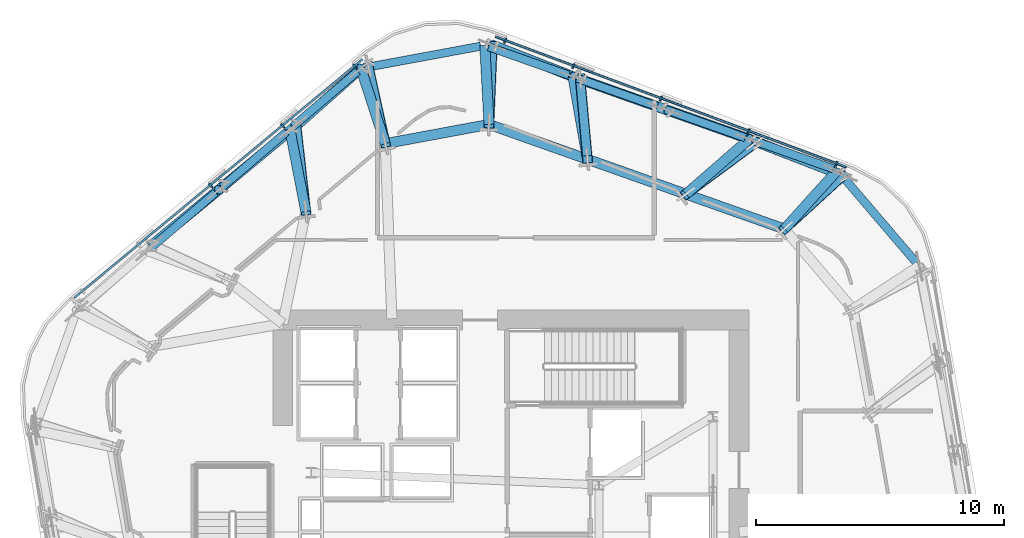
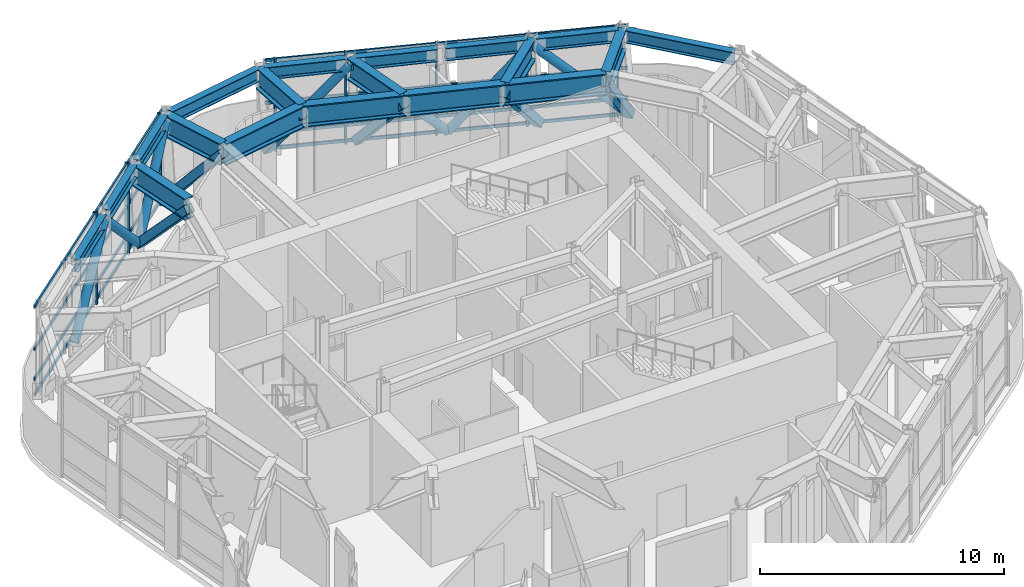
# One storey, part 6 of 16: 29 members, 19 beams, 2 elements without a shape of their own.
"""IFC4 building model written with IfcOpenShell, lengths in metres."""

from ifc_helpers import new_model, si_unit, direction, frame, origin, origin_2d, place, context, subcontext, project, spatial, rectangle, hollow_rectangle, hollow_circle, i_section, extrude, material, layer, layer_set, material_profile, profile_set, type_object, element, aggregate, save


model = new_model("IFC4")

# Units and contexts
model_context = context("Model", 3, precision=1e-05, world=origin(), true_north=direction((0.0, 1.0)))
body_context = subcontext(model_context, "Body", "Model", "MODEL_VIEW")
ifc_project = project(units=[si_unit("LENGTHUNIT", "METRE"), si_unit("AREAUNIT", "SQUARE_METRE"), si_unit("VOLUMEUNIT", "CUBIC_METRE"), si_unit("PLANEANGLEUNIT", "RADIAN"), si_unit("MASSUNIT", "GRAM", prefix="KILO")], contexts=[model_context])

# Site, building, storey
site_placement = place(None, origin())
site = spatial("IfcSite", under=ifc_project, at=site_placement, CompositionType="ELEMENT")
building_placement = place(site_placement, origin())
building = spatial("IfcBuilding", under=site, at=building_placement, Name="Valkerne Bourse Tower", CompositionType="ELEMENT")
storey_placement = place(building_placement, frame((0.0, 0.0, 193.199951171875)))
storey = spatial("IfcBuildingStorey", under=building, at=storey_placement, Name="L49", CompositionType="ELEMENT", Elevation=193.199951171875)

# Beams
ifc_material_1 = material(Name="Steel ASTM A992", Category="steel")
ifc_material_profile_1 = material_profile(ifc_material_1, i_section(OverallWidth=0.32763671875, OverallDepth=0.62744140625, WebThickness=0.0166015625, FlangeThickness=0.027587890625, FilletRadius=0.020263671875, at=origin_2d()), Name="W24X146")
ifc_profile_set_1 = profile_set([ifc_material_profile_1], Name="Steel ASTM A992")
beam_type_1 = type_object("IfcBeamType", Name="BM-W24X146", PredefinedType="SPANDREL", material=ifc_profile_set_1)
for number, where, z_axis, x_axis, name in (
    (1, (59.805419921875, 41.6416015625, 4.286376953125), (-0.942619294148, 0.333869534849, 0.0), (-0.333869534849, -0.942619294148, 0.0), "L49 Hexagonal Spandrel Ring Beam 00"),
    (2, (56.250732421875, 42.900390625, 4.286376953125), (-0.942619294148, 0.333869534849, 0.0), (-0.333869534849, -0.942619294148, 0.0), "L49 Hexagonal Spandrel Ring Beam 01"),
    (3, (52.696044921875, 44.1591796875, 4.286376953125), (-0.942619294148, 0.333869534849, 0.0), (-0.333869534849, -0.942619294148, 0.0), "L49 Hexagonal Spandrel Ring Beam 02"),
):
    element("IfcBeam", number, at=place(storey_placement, frame(where, z_axis=z_axis, x_axis=x_axis)), inside=storey, type_object=beam_type_1, Name=name, PredefinedType="SPANDREL", context=body_context, shape_type="SweptSolid", body=[
        extrude(i_section(OverallWidth=0.32763671875, OverallDepth=0.62744140625, WebThickness=0.0166015625, FlangeThickness=0.027587890625, FilletRadius=0.020263671875, at=origin_2d()), origin(), (0.0, 0.0, 1.0), 3.430908203125),
    ])
beam_1_placement = place(storey_placement, frame((49.141357421875, 45.41796875, 4.286376953125), z_axis=(-0.942627225161, 0.333847142245, 0.0), x_axis=(-0.333847142245, -0.942627225161, 0.0)))
element("IfcBeam", 4, at=beam_1_placement, inside=storey, type_object=beam_type_1, Name="L49 Hexagonal Spandrel Ring Beam 03", PredefinedType="SPANDREL", context=body_context, shape_type="SweptSolid", body=[
    extrude(i_section(OverallWidth=0.32763671875, OverallDepth=0.62744140625, WebThickness=0.0166015625, FlangeThickness=0.027587890625, FilletRadius=0.020263671875, at=origin_2d()), origin(), (0.0, 0.0, 1.0), 3.43115234375),
])
beam_2_placement = place(storey_placement, frame((45.57958984375, 46.589111328125, 4.286376953125), z_axis=(-0.98325432636, -0.182238661358, 0.0), x_axis=(0.182238661358, -0.98325432636, 0.0)))
element("IfcBeam", 5, at=beam_2_placement, inside=storey, type_object=beam_type_1, Name="L49 Hexagonal Spandrel Ring Beam 04", PredefinedType="SPANDREL", context=body_context, shape_type="SweptSolid", body=[
    extrude(i_section(OverallWidth=0.32763671875, OverallDepth=0.62744140625, WebThickness=0.0166015625, FlangeThickness=0.027587890625, FilletRadius=0.020263671875, at=origin_2d()), origin(), (0.0, 0.0, 1.0), 4.73974609375),
])
beam_3_placement = place(storey_placement, frame((40.62255859375, 45.583984375, 4.286376953125), z_axis=(-0.760395641243, -0.649460136405, 0.0), x_axis=(0.649460136405, -0.760395641243, 0.0)))
element("IfcBeam", 6, at=beam_3_placement, inside=storey, type_object=beam_type_1, Name="L49 Hexagonal Spandrel Ring Beam 05", PredefinedType="SPANDREL", context=body_context, shape_type="SweptSolid", body=[
    extrude(i_section(OverallWidth=0.32763671875, OverallDepth=0.62744140625, WebThickness=0.0166015625, FlangeThickness=0.027587890625, FilletRadius=0.020263671875, at=origin_2d()), origin(), (0.0, 0.0, 1.0), 3.430908203125),
])
beam_4_placement = place(storey_placement, frame((37.755126953125, 43.135009765625, 4.286376953125), z_axis=(-0.760360500555, -0.649501277285, 0.0), x_axis=(0.649501277285, -0.760360500555, 0.0)))
element("IfcBeam", 7, at=beam_4_placement, inside=storey, type_object=beam_type_1, Name="L49 Hexagonal Spandrel Ring Beam 06", PredefinedType="SPANDREL", context=body_context, shape_type="SweptSolid", body=[
    extrude(i_section(OverallWidth=0.32763671875, OverallDepth=0.62744140625, WebThickness=0.0166015625, FlangeThickness=0.027587890625, FilletRadius=0.020263671875, at=origin_2d()), origin(), (0.0, 0.0, 1.0), 3.43115234375),
])
beam_5_placement = place(storey_placement, frame((34.8876953125, 40.685791015625, 4.286376953125), z_axis=(-0.760395641243, -0.649460136405, 0.0), x_axis=(0.649460136405, -0.760395641243, 0.0)))
element("IfcBeam", 8, at=beam_5_placement, inside=storey, type_object=beam_type_1, Name="L49 Hexagonal Spandrel Ring Beam 07", PredefinedType="SPANDREL", context=body_context, shape_type="SweptSolid", body=[
    extrude(i_section(OverallWidth=0.32763671875, OverallDepth=0.62744140625, WebThickness=0.0166015625, FlangeThickness=0.027587890625, FilletRadius=0.020263671875, at=origin_2d()), origin(), (0.0, 0.0, 1.0), 3.430908203125),
])
beam_6_placement = place(storey_placement, frame((63.154541015625, 37.851318359375, 4.286376953125), z_axis=(-0.649428772545, 0.760422428254, 0.0), x_axis=(-0.760422428254, -0.649428772545, 0.0)))
element("IfcBeam", 9, at=beam_6_placement, inside=storey, type_object=beam_type_1, Name="L49 Hexagonal Spandrel Ring Beam 29", PredefinedType="SPANDREL", context=body_context, shape_type="SweptSolid", body=[
    extrude(i_section(OverallWidth=0.32763671875, OverallDepth=0.62744140625, WebThickness=0.0166015625, FlangeThickness=0.027587890625, FilletRadius=0.020263671875, at=origin_2d()), origin(), (0.0, 0.0, 1.0), 4.740234375),
])
ifc_material_2 = material(Name="Steel ASTM A913 Grade 65", Category="steel")
ifc_material_profile_2 = material_profile(ifc_material_2, i_section(OverallWidth=0.408935546875, OverallDepth=1.06689453125, WebThickness=0.031005859375, FlangeThickness=0.055908203125, FilletRadius=0.030517578125, at=origin_2d()), Name="W40X397")
ifc_profile_set_2 = profile_set([ifc_material_profile_2], Name="Steel ASTM A913 Grade 65")
beam_type_2 = type_object("IfcBeamType", Name="BM-W40X397", PredefinedType="BEAM", material=ifc_profile_set_2)
beam_7_placement = place(storey_placement, frame((59.9658203125, 41.5849609375, 4.066650390625), z_axis=(-0.670084930182, -0.742284437627, 0.0), x_axis=(0.742284437627, -0.670084930182, 0.0)))
element("IfcBeam", 10, at=beam_7_placement, inside=storey, type_object=beam_type_2, Name="L49 Radial Setback Transfer Girder Out 00", PredefinedType="BEAM", context=body_context, shape_type="SweptSolid", body=[
    extrude(i_section(OverallWidth=0.408935546875, OverallDepth=1.06689453125, WebThickness=0.031005859375, FlangeThickness=0.055908203125, FilletRadius=0.030517578125, at=origin_2d()), origin(), (0.0, 0.0, 1.0), 3.188720703125),
])
beam_8_placement = place(storey_placement, frame((57.8291015625, 39.218017578125, 4.066650390625), z_axis=(-0.942642044538, 0.333805296347, 0.0), x_axis=(-0.333805296347, -0.942642044538, 0.0)))
element("IfcBeam", 11, at=beam_8_placement, inside=storey, type_object=beam_type_2, Name="L49 Setback Ring Transfer Girder 00", PredefinedType="BEAM", context=body_context, shape_type="SweptSolid", body=[
    extrude(i_section(OverallWidth=0.408935546875, OverallDepth=1.06689453125, WebThickness=0.031005859375, FlangeThickness=0.055908203125, FilletRadius=0.030517578125, at=origin_2d()), origin(), (0.0, 0.0, 1.0), 4.212158203125),
])
beam_9_placement = place(storey_placement, frame((56.410888671875, 42.84375, 4.066650390625), z_axis=(-0.754549579472, -0.656243043482, 0.0), x_axis=(0.656243043482, -0.754549579472, 0.0)))
element("IfcBeam", 12, at=beam_9_placement, inside=storey, type_object=beam_type_2, Name="L49 Radial Setback Transfer Girder Out 01", PredefinedType="BEAM", context=body_context, shape_type="SweptSolid", body=[
    extrude(i_section(OverallWidth=0.408935546875, OverallDepth=1.06689453125, WebThickness=0.031005859375, FlangeThickness=0.055908203125, FilletRadius=0.030517578125, at=origin_2d()), origin(), (0.0, 0.0, 1.0), 3.382568359375),
])
beam_10_placement = place(storey_placement, frame((53.858642578125, 40.6240234375, 4.066650390625), z_axis=(-0.942642044538, 0.333805296347, 0.0), x_axis=(-0.333805296347, -0.942642044538, 0.0)))
element("IfcBeam", 13, at=beam_10_placement, inside=storey, type_object=beam_type_2, Name="L49 Setback Ring Transfer Girder 01", PredefinedType="BEAM", context=body_context, shape_type="SweptSolid", body=[
    extrude(i_section(OverallWidth=0.408935546875, OverallDepth=1.06689453125, WebThickness=0.031005859375, FlangeThickness=0.055908203125, FilletRadius=0.030517578125, at=origin_2d()), origin(), (0.0, 0.0, 1.0), 4.212158203125),
])
beam_11_placement = place(storey_placement, frame((49.301513671875, 45.361328125, 4.066650390625), z_axis=(0.173439458616, -0.984844533008, 0.0), x_axis=(0.984844533008, 0.173439458616, 0.0)))
element("IfcBeam", 14, at=beam_11_placement, inside=storey, type_object=beam_type_2, Name="L49 Radial Setback Transfer Girder Out 02", PredefinedType="BEAM", context=body_context, shape_type="SweptSolid", body=[
    extrude(i_section(OverallWidth=0.408935546875, OverallDepth=1.06689453125, WebThickness=0.031005859375, FlangeThickness=0.055908203125, FilletRadius=0.030517578125, at=origin_2d()), origin(), (0.0, 0.0, 1.0), 3.382568359375),
])
beam_12_placement = place(storey_placement, frame((49.88818359375, 42.030029296875, 4.066650390625), z_axis=(-0.942642044538, 0.333805296347, 0.0), x_axis=(-0.333805296347, -0.942642044538, 0.0)))
element("IfcBeam", 15, at=beam_12_placement, inside=storey, type_object=beam_type_2, Name="L49 Setback Ring Transfer Girder 02", PredefinedType="BEAM", context=body_context, shape_type="SweptSolid", body=[
    extrude(i_section(OverallWidth=0.408935546875, OverallDepth=1.06689453125, WebThickness=0.031005859375, FlangeThickness=0.055908203125, FilletRadius=0.030517578125, at=origin_2d()), origin(), (0.0, 0.0, 1.0), 4.212158203125),
])
beam_13_placement = place(storey_placement, frame((45.746826171875, 46.6201171875, 4.066650390625), z_axis=(0.053595606947, -0.998562722575, 0.0), x_axis=(0.998562722575, 0.053595606947, 0.0)))
element("IfcBeam", 16, at=beam_13_placement, inside=storey, type_object=beam_type_2, Name="L49 Radial Setback Transfer Girder Out 03", PredefinedType="BEAM", context=body_context, shape_type="SweptSolid", body=[
    extrude(i_section(OverallWidth=0.408935546875, OverallDepth=1.06689453125, WebThickness=0.031005859375, FlangeThickness=0.055908203125, FilletRadius=0.030517578125, at=origin_2d()), origin(), (0.0, 0.0, 1.0), 3.188720703125),
])
beam_14_placement = place(storey_placement, frame((45.917724609375, 43.43603515625, 4.066650390625), z_axis=(-0.983250033546, -0.182261821377, 0.0), x_axis=(0.182261821377, -0.983250033546, 0.0)))
element("IfcBeam", 17, at=beam_14_placement, inside=storey, type_object=beam_type_2, Name="L49 Setback Ring Transfer Girder 03", PredefinedType="BEAM", context=body_context, shape_type="SweptSolid", body=[
    extrude(i_section(OverallWidth=0.408935546875, OverallDepth=1.06689453125, WebThickness=0.031005859375, FlangeThickness=0.055908203125, FilletRadius=0.030517578125, at=origin_2d()), origin(), (0.0, 0.0, 1.0), 4.255615234375),
])
beam_15_placement = place(storey_placement, frame((40.751953125, 45.6943359375, 4.066650390625), z_axis=(0.307785630743, -0.951455729663, 0.0), x_axis=(0.951455729663, 0.307785630743, 0.0)))
element("IfcBeam", 18, at=beam_15_placement, inside=storey, type_object=beam_type_2, Name="L49 Radial Setback Transfer Girder Out 04", PredefinedType="BEAM", context=body_context, shape_type="SweptSolid", body=[
    extrude(i_section(OverallWidth=0.408935546875, OverallDepth=1.06689453125, WebThickness=0.031005859375, FlangeThickness=0.055908203125, FilletRadius=0.030517578125, at=origin_2d()), origin(), (0.0, 0.0, 1.0), 3.188720703125),
])
beam_16_placement = place(storey_placement, frame((37.884521484375, 43.245361328125, 4.066650390625), z_axis=(0.190977841532, -0.981594348009, 0.0), x_axis=(0.981594348009, 0.190977841532, 0.0)))
element("IfcBeam", 19, at=beam_16_placement, inside=storey, type_object=beam_type_2, Name="L49 Radial Setback Transfer Girder Out 05", PredefinedType="BEAM", context=body_context, shape_type="SweptSolid", body=[
    extrude(i_section(OverallWidth=0.408935546875, OverallDepth=1.06689453125, WebThickness=0.031005859375, FlangeThickness=0.055908203125, FilletRadius=0.030517578125, at=origin_2d()), origin(), (0.0, 0.0, 1.0), 3.382568359375),
])

# Curtain wall, members
ifc_material_3 = material(Name="Aluminium AA 6063-T6", Category="aluminium")
ifc_layer = layer(ifc_material_3, 0.25)
ifc_layer_set = layer_set([ifc_layer], Name="Aluminium AA 6063-T6")
curtain_wall_type = type_object("IfcCurtainWallType", Name="CW-06", PredefinedType="NOTDEFINED", material=ifc_layer_set)
curtain_wall_1_placement = place(storey_placement, origin())
curtain_wall_1 = element("IfcCurtainWall", 20, at=curtain_wall_1_placement, inside=storey, type_object=curtain_wall_type, Name="L49 Hexagonal Stick Curtain Wall Face 1", PredefinedType="NOTDEFINED")
ifc_material_profile_3 = material_profile(ifc_material_3, rectangle(XDim=0.074951171875, YDim=0.199951171875, at=origin_2d()), Name="CWM-75X200")
ifc_profile_set_3 = profile_set([ifc_material_profile_3], Name="Aluminium AA 6063-T6")
member_type_1 = type_object("IfcMemberType", Name="CW-MUL-220X75", PredefinedType="MULLION", material=ifc_profile_set_3)
member_1_placement = place(storey_placement, frame((59.918212890625, 41.841552734375, 0.0), z_axis=(0.0, 0.0, 1.0), x_axis=(-0.937279283548, 0.348579323298, 0.0)))
member_1 = element("IfcMember", 21, at=member_1_placement, type_object=member_type_1, Name="CW-L49-F1 Jamb Mullion 00A", PredefinedType="MULLION", context=body_context, shape_type="SweptSolid", body=[
    extrude(rectangle(XDim=0.074951171875, YDim=0.199951171875, at=origin_2d()), origin(), (0.0, 0.0, 1.0), 4.60009765625),
])
member_2_placement = place(storey_placement, frame((56.383544921875, 43.156005859375, 0.0), z_axis=(0.0, 0.0, 1.0), x_axis=(-0.9372879472, 0.348556027107, 0.0)))
member_2 = element("IfcMember", 22, at=member_2_placement, type_object=member_type_1, Name="CW-L49-F1 Jamb Mullion 01A", PredefinedType="MULLION", context=body_context, shape_type="SweptSolid", body=[
    extrude(rectangle(XDim=0.074951171875, YDim=0.199951171875, at=origin_2d()), origin(), (0.0, 0.0, 1.0), 4.60009765625),
])
member_3_placement = place(storey_placement, frame((52.84912109375, 44.470458984375, 0.0), z_axis=(0.0, 0.0, 1.0), x_axis=(-0.937279283548, 0.348579323298, 0.0)))
member_3 = element("IfcMember", 23, at=member_3_placement, type_object=member_type_1, Name="CW-L49-F1 Jamb Mullion 02A", PredefinedType="MULLION", context=body_context, shape_type="SweptSolid", body=[
    extrude(rectangle(XDim=0.074951171875, YDim=0.199951171875, at=origin_2d()), origin(), (0.0, 0.0, 1.0), 4.60009765625),
])
member_4_placement = place(storey_placement, frame((49.314697265625, 45.784912109375, 0.0), z_axis=(0.0, 0.0, 1.0), x_axis=(-0.937279283548, 0.348579323298, 0.0)))
member_4 = element("IfcMember", 24, at=member_4_placement, type_object=member_type_1, Name="CW-L49-F1 Jamb Mullion 03A", PredefinedType="MULLION", context=body_context, shape_type="SweptSolid", body=[
    extrude(rectangle(XDim=0.074951171875, YDim=0.199951171875, at=origin_2d()), origin(), (0.0, 0.0, 1.0), 4.60009765625),
])
member_5_placement = place(storey_placement, frame((46.5673828125, 46.806640625, 0.0), z_axis=(0.0, 0.0, 1.0), x_axis=(-0.937279283548, 0.348579323298, 0.0)))
member_5 = element("IfcMember", 25, at=member_5_placement, type_object=member_type_1, Name="CW-L49-F1 Jamb Mullion 03B", PredefinedType="MULLION", context=body_context, shape_type="SweptSolid", body=[
    extrude(rectangle(XDim=0.074951171875, YDim=0.199951171875, at=origin_2d()), origin(), (0.0, 0.0, 1.0), 4.60009765625),
])

curtain_wall_2_placement = place(storey_placement, origin())
curtain_wall_2 = element("IfcCurtainWall", 26, at=curtain_wall_2_placement, inside=storey, type_object=curtain_wall_type, Name="L49 Hexagonal Stick Curtain Wall Face 2", PredefinedType="NOTDEFINED")
member_6_placement = place(storey_placement, frame((40.506103515625, 45.78125, 0.0), z_axis=(0.0, 0.0, 1.0), x_axis=(-0.770503001355, -0.637436369297, 0.0)))
member_6 = element("IfcMember", 27, at=member_6_placement, type_object=member_type_1, Name="CW-L49-F2 Jamb Mullion 00A", PredefinedType="MULLION", context=body_context, shape_type="SweptSolid", body=[
    extrude(rectangle(XDim=0.074951171875, YDim=0.199951171875, at=origin_2d()), origin(), (0.0, 0.0, 1.0), 4.60009765625),
])
member_7_placement = place(storey_placement, frame((37.600341796875, 43.377685546875, 0.0), z_axis=(0.0, 0.0, 1.0), x_axis=(-0.770516025568, -0.637420625915, 0.0)))
member_7 = element("IfcMember", 28, at=member_7_placement, type_object=member_type_1, Name="CW-L49-F2 Jamb Mullion 01A", PredefinedType="MULLION", context=body_context, shape_type="SweptSolid", body=[
    extrude(rectangle(XDim=0.074951171875, YDim=0.199951171875, at=origin_2d()), origin(), (0.0, 0.0, 1.0), 4.60009765625),
])
member_8_placement = place(storey_placement, frame((34.69482421875, 40.973876953125, 0.0), z_axis=(0.0, 0.0, 1.0), x_axis=(-0.770516025568, -0.637420625915, 0.0)))
member_8 = element("IfcMember", 29, at=member_8_placement, type_object=member_type_1, Name="CW-L49-F2 Jamb Mullion 02A", PredefinedType="MULLION", context=body_context, shape_type="SweptSolid", body=[
    extrude(rectangle(XDim=0.074951171875, YDim=0.199951171875, at=origin_2d()), origin(), (0.0, 0.0, 1.0), 4.60009765625),
])

# Member
ifc_material_profile_4 = material_profile(ifc_material_3, rectangle(XDim=0.074951171875, YDim=0.14990234375, at=origin_2d()), Name="CWT-75X150")
ifc_profile_set_4 = profile_set([ifc_material_profile_4], Name="Aluminium AA 6063-T6")
member_type_2 = type_object("IfcMemberType", Name="CW-TRN-180X65", PredefinedType="USERDEFINED", material=ifc_profile_set_4)
member_9_placement = place(storey_placement, frame((60.318603515625, 41.7138671875, 0.1201171875), z_axis=(-0.937282856986, 0.348569714691, 0.0), x_axis=(-0.348569714691, -0.937282856986, 0.0)))
member_9 = element("IfcMember", 30, at=member_9_placement, type_object=member_type_2, Name="CW-L49-F1 Continuous Face Transom 1", ObjectType="TRANSOM", PredefinedType="USERDEFINED", context=body_context, shape_type="SweptSolid", body=[
    extrude(rectangle(XDim=0.074951171875, YDim=0.14990234375, at=origin_2d()), origin(), (0.0, 0.0, 1.0), 15.083984375),
])

member_10_placement = place(storey_placement, frame((60.318603515625, 41.7138671875, 0.900146484375), z_axis=(-0.937282856986, 0.348569714691, 0.0), x_axis=(-0.348569714691, -0.937282856986, 0.0)))
member_10 = element("IfcMember", 31, at=member_10_placement, type_object=member_type_2, Name="CW-L49-F1 Continuous Face Transom 2", ObjectType="TRANSOM", PredefinedType="USERDEFINED", context=body_context, shape_type="SweptSolid", body=[
    extrude(rectangle(XDim=0.074951171875, YDim=0.14990234375, at=origin_2d()), origin(), (0.0, 0.0, 1.0), 15.083984375),
])

member_11_placement = place(storey_placement, frame((60.318603515625, 41.7138671875, 2.400146484375), z_axis=(-0.937282856986, 0.348569714691, 0.0), x_axis=(-0.348569714691, -0.937282856986, 0.0)))
member_11 = element("IfcMember", 32, at=member_11_placement, type_object=member_type_2, Name="CW-L49-F1 Continuous Face Transom 3", ObjectType="TRANSOM", PredefinedType="USERDEFINED", context=body_context, shape_type="SweptSolid", body=[
    extrude(rectangle(XDim=0.074951171875, YDim=0.14990234375, at=origin_2d()), origin(), (0.0, 0.0, 1.0), 15.083984375),
])

member_12_placement = place(storey_placement, frame((60.318603515625, 41.7138671875, 4.52001953125), z_axis=(-0.937282856986, 0.348569714691, 0.0), x_axis=(-0.348569714691, -0.937282856986, 0.0)))
member_12 = element("IfcMember", 33, at=member_12_placement, type_object=member_type_2, Name="CW-L49-F1 Continuous Face Transom 4", ObjectType="TRANSOM", PredefinedType="USERDEFINED", context=body_context, shape_type="SweptSolid", body=[
    extrude(rectangle(XDim=0.074951171875, YDim=0.14990234375, at=origin_2d()), origin(), (0.0, 0.0, 1.0), 15.083984375),
])

aggregate(curtain_wall_1, [member_9, member_10, member_11, member_12, member_1, member_2, member_3, member_4, member_5])

member_13_placement = place(storey_placement, frame((40.81689453125, 46.064453125, 0.1201171875), z_axis=(-0.770514103363, -0.637422949476, 0.0), x_axis=(0.637422949476, -0.770514103363, 0.0)))
member_13 = element("IfcMember", 34, at=member_13_placement, type_object=member_type_2, Name="CW-L49-F2 Continuous Face Transom 1", ObjectType="TRANSOM", PredefinedType="USERDEFINED", context=body_context, shape_type="SweptSolid", body=[
    extrude(rectangle(XDim=0.074951171875, YDim=0.14990234375, at=origin_2d()), origin(), (0.0, 0.0, 1.0), 15.084228515625),
])

member_14_placement = place(storey_placement, frame((40.81689453125, 46.064453125, 0.900146484375), z_axis=(-0.770514103363, -0.637422949476, 0.0), x_axis=(0.637422949476, -0.770514103363, 0.0)))
member_14 = element("IfcMember", 35, at=member_14_placement, type_object=member_type_2, Name="CW-L49-F2 Continuous Face Transom 2", ObjectType="TRANSOM", PredefinedType="USERDEFINED", context=body_context, shape_type="SweptSolid", body=[
    extrude(rectangle(XDim=0.074951171875, YDim=0.14990234375, at=origin_2d()), origin(), (0.0, 0.0, 1.0), 15.084228515625),
])

member_15_placement = place(storey_placement, frame((40.81689453125, 46.064453125, 2.400146484375), z_axis=(-0.770514103363, -0.637422949476, 0.0), x_axis=(0.637422949476, -0.770514103363, 0.0)))
member_15 = element("IfcMember", 36, at=member_15_placement, type_object=member_type_2, Name="CW-L49-F2 Continuous Face Transom 3", ObjectType="TRANSOM", PredefinedType="USERDEFINED", context=body_context, shape_type="SweptSolid", body=[
    extrude(rectangle(XDim=0.074951171875, YDim=0.14990234375, at=origin_2d()), origin(), (0.0, 0.0, 1.0), 15.084228515625),
])

member_16_placement = place(storey_placement, frame((40.81689453125, 46.064453125, 4.52001953125), z_axis=(-0.770514103363, -0.637422949476, 0.0), x_axis=(0.637422949476, -0.770514103363, 0.0)))
member_16 = element("IfcMember", 37, at=member_16_placement, type_object=member_type_2, Name="CW-L49-F2 Continuous Face Transom 4", ObjectType="TRANSOM", PredefinedType="USERDEFINED", context=body_context, shape_type="SweptSolid", body=[
    extrude(rectangle(XDim=0.074951171875, YDim=0.14990234375, at=origin_2d()), origin(), (0.0, 0.0, 1.0), 15.084228515625),
])

aggregate(curtain_wall_2, [member_13, member_14, member_15, member_16, member_6, member_7, member_8])

# Members
ifc_material_4 = material(Name="Steel ASTM A500 Grade C", Category="steel")
ifc_material_profile_5 = material_profile(ifc_material_4, hollow_circle(Radius=0.203125, WallThickness=0.01416015625, at=origin_2d()), Name="CHS406X14.2")
ifc_profile_set_5 = profile_set([ifc_material_profile_5], Name="Steel ASTM A500 Grade C")
member_type_3 = type_object("IfcMemberType", Name="MBR-CHS406X14.2", PredefinedType="BRACE", material=ifc_profile_set_5)
member_17_placement = place(storey_placement, frame((60.193115234375, 41.37646484375, 0.35009765625), z_axis=(-0.672111496617, 0.260740388244, 0.693022788986), x_axis=(-0.361679453522, -0.932302511474, 0.0)))
element("IfcMember", 38, at=member_17_placement, inside=storey, type_object=member_type_3, Name="L49 Perimeter Belt Truss Diagonal 00", PredefinedType="BRACE", context=body_context, shape_type="SweptSolid", body=[
    extrude(hollow_circle(Radius=0.203125, WallThickness=0.01416015625, at=origin_2d()), origin(), (0.0, 0.0, 1.0), 5.62744140625),
])
member_18_placement = place(storey_placement, frame((53.124267578125, 44.00537109375, 0.35009765625), z_axis=(0.628329979367, -0.22207651477, 0.745575924113), x_axis=(0.333237723214, 0.94284283941, 0.0)))
element("IfcMember", 39, at=member_18_placement, inside=storey, type_object=member_type_3, Name="L49 Perimeter Belt Truss Diagonal 01", PredefinedType="BRACE", context=body_context, shape_type="SweptSolid", body=[
    extrude(hollow_circle(Radius=0.203125, WallThickness=0.01416015625, at=origin_2d()), origin(), (0.0, 0.0, 1.0), 5.230712890625),
])
member_19_placement = place(storey_placement, frame((53.124267578125, 44.00537109375, 0.35009765625), z_axis=(-0.679378711072, 0.240980288753, 0.69308950892), x_axis=(-0.33429947461, -0.942466901952, 0.0)))
element("IfcMember", 40, at=member_19_placement, inside=storey, type_object=member_type_3, Name="L49 Perimeter Belt Truss Diagonal 02", PredefinedType="BRACE", context=body_context, shape_type="SweptSolid", body=[
    extrude(hollow_circle(Radius=0.203125, WallThickness=0.01416015625, at=origin_2d()), origin(), (0.0, 0.0, 1.0), 5.626953125),
])
for number, where, z_axis, x_axis, name in (
    (41, (46.05517578125, 46.63427734375, 0.35009765625), (0.620539499984, -0.243325032181, 0.7454687503), (0.365056592436, 0.930985329809, 0.0), "L49 Perimeter Belt Truss Diagonal 03"),
    (42, (38.140625, 43.38330078125, 0.35009765625), (0.499149615518, 0.441749276411, 0.745457737312), (-0.662737015623, 0.748852220484, 0.0), "L49 Perimeter Belt Truss Diagonal 05"),
):
    element("IfcMember", number, at=place(storey_placement, frame(where, z_axis=z_axis, x_axis=x_axis)), inside=storey, type_object=member_type_3, Name=name, PredefinedType="BRACE", context=body_context, shape_type="SweptSolid", body=[
        extrude(hollow_circle(Radius=0.203125, WallThickness=0.01416015625, at=origin_2d()), origin(), (0.0, 0.0, 1.0), 5.2314453125),
    ])
member_20_placement = place(storey_placement, frame((38.140625, 43.38330078125, 0.35009765625), z_axis=(-0.555163128361, -0.45979395633, 0.693096976354), x_axis=(0.637854696877, -0.770156727993, 0.0)))
element("IfcMember", 43, at=member_20_placement, inside=storey, type_object=member_type_3, Name="L49 Perimeter Belt Truss Diagonal 06", PredefinedType="BRACE", context=body_context, shape_type="SweptSolid", body=[
    extrude(hollow_circle(Radius=0.203125, WallThickness=0.01416015625, at=origin_2d()), origin(), (0.0, 0.0, 1.0), 5.626708984375),
])
member_21_placement = place(storey_placement, frame((32.32958984375, 38.575927734375, 0.35009765625), z_axis=(0.51374957732, 0.424460675583, 0.745583333161), x_axis=(-0.636933935362, 0.770918388666, 0.0)))
element("IfcMember", 44, at=member_21_placement, inside=storey, type_object=member_type_3, Name="L49 Perimeter Belt Truss Diagonal 07", PredefinedType="BRACE", context=body_context, shape_type="SweptSolid", body=[
    extrude(hollow_circle(Radius=0.203125, WallThickness=0.01416015625, at=origin_2d()), origin(), (0.0, 0.0, 1.0), 5.230712890625),
])
ifc_material_profile_6 = material_profile(ifc_material_4, hollow_rectangle(XDim=0.39990234375, YDim=0.39990234375, WallThickness=0.01611328125, OuterFilletRadius=0.031982421875, at=origin_2d()), Name="HSS400X400X16")
ifc_profile_set_6 = profile_set([ifc_material_profile_6], Name="Steel ASTM A500 Grade C")
member_type_4 = type_object("IfcMemberType", Name="MBR-HSS400X400X16", PredefinedType="BRACE", material=ifc_profile_set_6)
member_22_placement = place(storey_placement, frame((60.193115234375, 41.37646484375, 0.35009765625), z_axis=(-0.481948010308, -0.440039487672, 0.757688171116), x_axis=(0.674269364021, -0.738485493928, 0.0)))
element("IfcMember", 45, at=member_22_placement, inside=storey, type_object=member_type_4, Name="L49 Setback Outrigger Knee Strut 00", PredefinedType="BRACE", context=body_context, shape_type="SweptSolid", body=[
    extrude(hollow_rectangle(XDim=0.39990234375, YDim=0.39990234375, WallThickness=0.01611328125, OuterFilletRadius=0.031982421875, at=origin_2d()), origin(), (0.0, 0.0, 1.0), 4.905029296875),
])
member_23_placement = place(storey_placement, frame((56.65869140625, 42.69091796875, 0.35009765625), z_axis=(-0.549927531625, -0.405936566635, 0.729928225122), x_axis=(0.593887976101, -0.804547743669, 0.0)))
element("IfcMember", 46, at=member_23_placement, inside=storey, type_object=member_type_4, Name="L49 Setback Outrigger Knee Strut 01", PredefinedType="BRACE", context=body_context, shape_type="SweptSolid", body=[
    extrude(hollow_rectangle(XDim=0.39990234375, YDim=0.39990234375, WallThickness=0.01611328125, OuterFilletRadius=0.031982421875, at=origin_2d()), origin(), (0.0, 0.0, 1.0), 5.091552734375),
])
member_24_placement = place(storey_placement, frame((49.589599609375, 45.31982421875, 0.35009765625), z_axis=(0.060048378054, -0.66161234201, 0.747437824299), x_axis=(0.995906523299, 0.090389141224, 0.0)))
element("IfcMember", 47, at=member_24_placement, inside=storey, type_object=member_type_4, Name="L49 Setback Outrigger Knee Strut 02", PredefinedType="BRACE", context=body_context, shape_type="SweptSolid", body=[
    extrude(hollow_rectangle(XDim=0.39990234375, YDim=0.39990234375, WallThickness=0.01611328125, OuterFilletRadius=0.031982421875, at=origin_2d()), origin(), (0.0, 0.0, 1.0), 4.972412109375),
])
member_25_placement = place(storey_placement, frame((46.05517578125, 46.63427734375, 0.35009765625), z_axis=(-0.028021858375, -0.652018374277, 0.757685168826), x_axis=(0.999077761826, -0.042937464115, 0.0)))
element("IfcMember", 48, at=member_25_placement, inside=storey, type_object=member_type_4, Name="L49 Setback Outrigger Knee Strut 03", PredefinedType="BRACE", context=body_context, shape_type="SweptSolid", body=[
    extrude(hollow_rectangle(XDim=0.39990234375, YDim=0.39990234375, WallThickness=0.01611328125, OuterFilletRadius=0.031982421875, at=origin_2d()), origin(), (0.0, 0.0, 1.0), 4.905029296875),
])
member_26_placement = place(storey_placement, frame((41.04638671875, 45.787109375, 0.35009765625), z_axis=(0.140057632707, -0.637426475508, 0.757674961869), x_axis=(0.976701084489, 0.214604267334, 0.0)))
element("IfcMember", 49, at=member_26_placement, inside=storey, type_object=member_type_4, Name="L49 Setback Outrigger Knee Strut 04", PredefinedType="BRACE", context=body_context, shape_type="SweptSolid", body=[
    extrude(hollow_rectangle(XDim=0.39990234375, YDim=0.39990234375, WallThickness=0.01611328125, OuterFilletRadius=0.031982421875, at=origin_2d()), origin(), (0.0, 0.0, 1.0), 4.9052734375),
])
member_27_placement = place(storey_placement, frame((38.140625, 43.38330078125, 0.35009765625), z_axis=(0.076575802639, -0.679208668997, 0.729939538873), x_axis=(0.993704497555, 0.112032903819, 0.0)))
element("IfcMember", 50, at=member_27_placement, inside=storey, type_object=member_type_4, Name="L49 Setback Outrigger Knee Strut 05", PredefinedType="BRACE", context=body_context, shape_type="SweptSolid", body=[
    extrude(hollow_rectangle(XDim=0.39990234375, YDim=0.39990234375, WallThickness=0.01611328125, OuterFilletRadius=0.031982421875, at=origin_2d()), origin(), (0.0, 0.0, 1.0), 5.091552734375),
])

save(model, "model.ifc")
